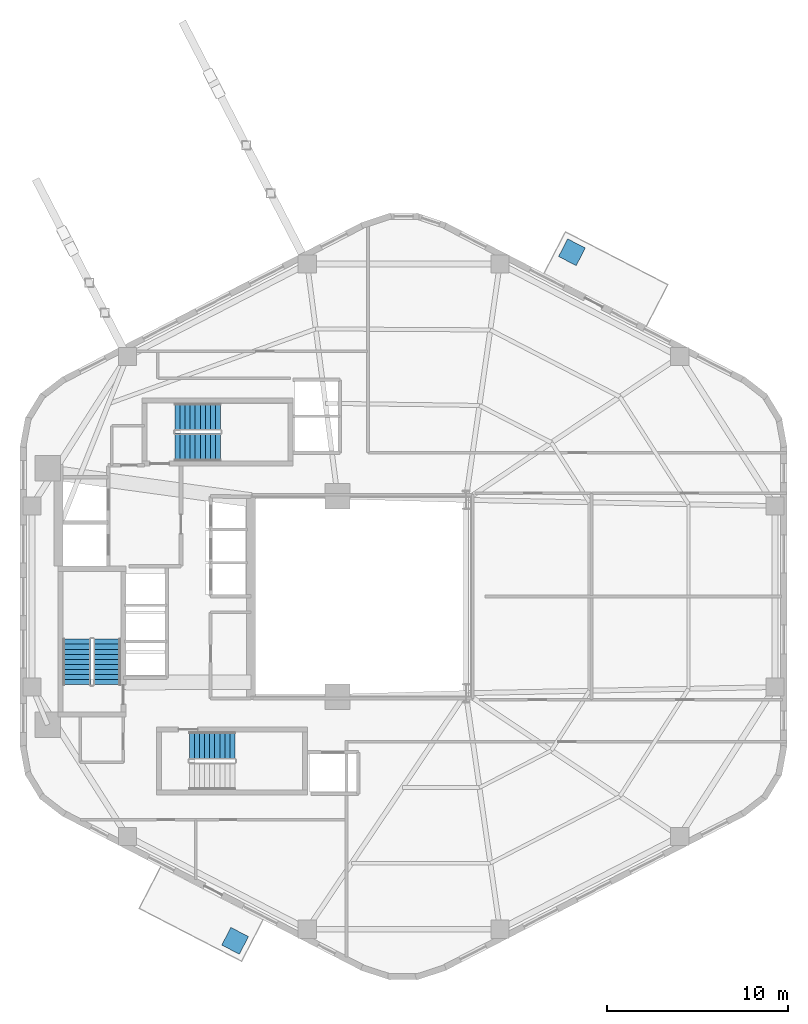
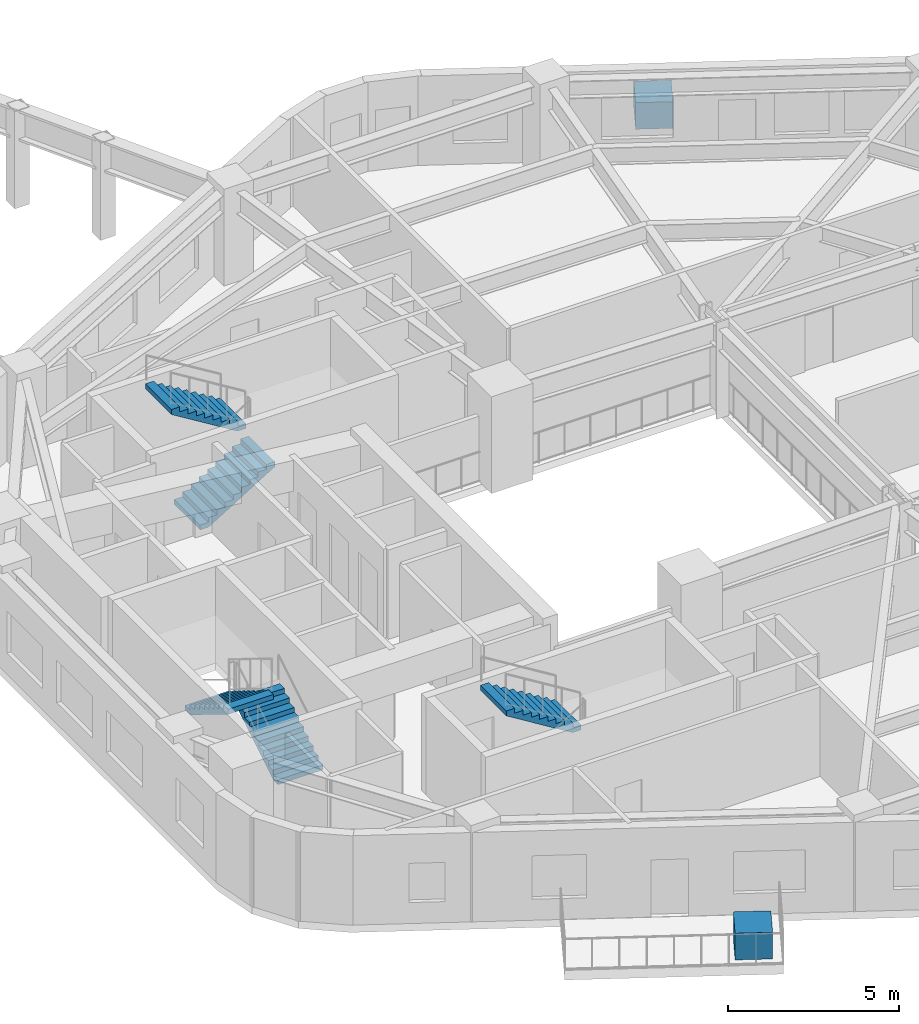
# One storey, part 6 of 8: 5 stair flights, 2 discrete accessories, 3 elements without a shape of their own.
"""IFC4 building model written with IfcOpenShell, lengths in metres."""

import ifcopenshell
import ifcopenshell.guid

model = None  # the IFC model being written
_history = None  # IfcOwnerHistory: only IFC2X3 demands one
_inside = {}  # id of a spatial element -> (the spatial element, [elements in it])
_under = {}  # id of a project, library or spatial element -> (it, [spatial elements below it])
_declared = {}  # id of a project -> (the project, [libraries it declares])
_typed = {}  # id of a type object -> (the type object, [elements of that type])
_made_of = {}  # id of a material, layer set ... -> (it, [elements and type objects made of it])


def new_model(schema):
    """Start an empty IFC model of exactly this schema.

    Asked for "IFC4X3", IfcOpenShell would pick the latest addendum, in which some entities
    have other attributes; the version numbers below select the first issue.
    IFC2X3 requires an IfcOwnerHistory on every rooted entity: one is made here for all.
    """
    global model, _history
    if schema == "IFC4X3":
        model = ifcopenshell.file(schema_version=(4, 3, 0, 0))
    else:
        model = ifcopenshell.file(schema=schema)
    _inside.clear()
    _under.clear()
    _declared.clear()
    _typed.clear()
    _made_of.clear()
    _history = None
    if model.schema == "IFC2X3":
        org = make("IfcOrganization", Name="unknown")
        user = make(
            "IfcPersonAndOrganization",
            ThePerson=make("IfcPerson", FamilyName="unknown"),
            TheOrganization=org,
        )
        app = make(
            "IfcApplication",
            ApplicationDeveloper=org,
            Version="unknown",
            ApplicationFullName="unknown",
            ApplicationIdentifier="unknown",
        )
        _history = make(
            "IfcOwnerHistory",
            OwningUser=user,
            OwningApplication=app,
            ChangeAction="ADDED",
            CreationDate=0,
        )
    return model


def make(cls, **values):
    """One entity of the class cls with the attributes given. An attribute that is None is left unset."""
    return model.create_entity(
        cls, **{name: value for name, value in values.items() if value is not None}
    )


def rooted(cls, **values):
    """An entity with a GlobalId (a new one), such as an element, a storey or a relation."""
    return make(cls, GlobalId=ifcopenshell.guid.new(), OwnerHistory=_history, **values)


def si_unit(unit_type, name, prefix=None):
    """IfcSIUnit, for example si_unit("LENGTHUNIT", "METRE", prefix="MILLI")."""
    return make("IfcSIUnit", UnitType=unit_type, Prefix=prefix, Name=name)


def assignment(units):
    """IfcUnitAssignment: the units of a project."""
    return None if units is None else make("IfcUnitAssignment", Units=units)


def point(xyz):
    """IfcCartesianPoint."""
    return None if xyz is None else make("IfcCartesianPoint", Coordinates=xyz)


def direction(xyz):
    """IfcDirection."""
    return None if xyz is None else make("IfcDirection", DirectionRatios=xyz)


def frame(location, z_axis=None, x_axis=None):
    """IfcAxis2Placement3D, a coordinate frame: its origin and axes. An axis left out is left unset."""
    return make(
        "IfcAxis2Placement3D",
        Location=point(location),
        Axis=direction(z_axis),
        RefDirection=direction(x_axis),
    )


def frame_2d(location, x_axis=None):
    """IfcAxis2Placement2D, a coordinate frame in the plane: its origin and x axis."""
    return make(
        "IfcAxis2Placement2D", Location=point(location), RefDirection=direction(x_axis)
    )


def origin():
    """The frame at (0, 0, 0) with its axes left unset."""
    return frame((0.0, 0.0, 0.0))


def origin_2d():
    """The frame at (0, 0) in the plane with its x axis left unset."""
    return frame_2d((0.0, 0.0))


def place(relative_to, where):
    """IfcLocalPlacement: puts the frame where relative to a parent placement (None: the world)."""
    return make(
        "IfcLocalPlacement", PlacementRelTo=relative_to, RelativePlacement=where
    )


def context(
    kind, dimensions, precision=None, world=None, true_north=None, identifier=None
):
    """IfcGeometricRepresentationContext, for example the 3D "Model" context."""
    return make(
        "IfcGeometricRepresentationContext",
        ContextIdentifier=identifier,
        ContextType=kind,
        CoordinateSpaceDimension=dimensions,
        Precision=precision,
        WorldCoordinateSystem=world,
        TrueNorth=true_north,
    )


def subcontext(parent, identifier, kind, view, scale=None):
    """IfcGeometricRepresentationSubContext, for example "Body" below "Model"."""
    return make(
        "IfcGeometricRepresentationSubContext",
        ContextIdentifier=identifier,
        ContextType=kind,
        ParentContext=parent,
        TargetScale=scale,
        TargetView=view,
    )


def project(units=None, contexts=None):
    """IfcProject with its units and contexts."""
    return rooted(
        "IfcProject",
        Name="project",
        RepresentationContexts=contexts,
        UnitsInContext=assignment(units),
    )


def spatial(cls, under=None, at=None, **own):
    """A site, building, storey or space (cls), placed at a placement, below another one or the project."""
    s = rooted(cls, ObjectPlacement=at, **own)
    if under is not None:
        _under.setdefault(under.id(), (under, []))[1].append(s)
    return s


def polyline(points):
    """IfcPolyline through the points."""
    return make("IfcPolyline", Points=[point(p) for p in points])


def profile(cls, at=None, kind="AREA", **sizes):
    """A parametric profile (cls). Its sizes go by their IFC names, for example OverallWidth=200.0."""
    return make(cls, ProfileType=kind, Position=at, **sizes)


def rectangle(**sizes):
    """IfcRectangleProfileDef."""
    return profile("IfcRectangleProfileDef", **sizes)


def outline(outer, holes=None, kind="AREA"):
    """IfcArbitraryClosedProfileDef: a profile drawn as a closed curve; with holes, ...WithVoids."""
    if holes is None:
        return make("IfcArbitraryClosedProfileDef", ProfileType=kind, OuterCurve=outer)
    return make(
        "IfcArbitraryProfileDefWithVoids",
        ProfileType=kind,
        OuterCurve=outer,
        InnerCurves=holes,
    )


def extrude(swept, where, along, depth):
    """IfcExtrudedAreaSolid: the profile swept, set in the frame where, extruded along a direction by depth."""
    return make(
        "IfcExtrudedAreaSolid",
        SweptArea=swept,
        Position=where,
        ExtrudedDirection=direction(along),
        Depth=depth,
    )


def shape(context_of_items, identifier, shape_type, items):
    """IfcShapeRepresentation: the items that make up one representation, for example the "Body"."""
    return make(
        "IfcShapeRepresentation",
        ContextOfItems=context_of_items,
        RepresentationIdentifier=identifier,
        RepresentationType=shape_type,
        Items=items,
    )


def material(Name=None, Category=None):
    """IfcMaterial."""
    return make("IfcMaterial", Name=Name, Category=Category)


def made_of(thing, what):
    """Note that an element or type object is made of a material, layer set ...; save() writes the relation."""
    if what is not None:
        _made_of.setdefault(what.id(), (what, []))[1].append(thing)
    return thing


def type_object(cls, material=None, **own):
    """A type object (cls), such as IfcWallType, which elements share."""
    return made_of(rooted(cls, **own), material)


def element(
    cls,
    number,
    at=None,
    inside=None,
    cuts=None,
    type_object=None,
    material=None,
    context=None,
    identifier="Body",
    shape_type=None,
    held_by="IfcProductDefinitionShape",
    body=None,
    shapes=None,
    **own,
):
    """One element of the class cls, such as IfcWall. Its Tag is "e" and its number.

    at: its placement. inside: the storey or other place that contains it. cuts: it is an
    opening in that element (IfcRelVoidsElement). A single representation is given by context,
    identifier, shape_type and body (its items); several are given by shapes. held_by: the class
    of the entity that holds the representations. save() writes the other relations.
    """
    e = rooted(cls, Tag="e%d" % number, ObjectPlacement=at, **own)
    if body is not None:
        shapes = [shape(context, identifier, shape_type, body)]
    if shapes is not None:
        e.Representation = make(held_by, Representations=shapes)
    if inside is not None:
        _inside.setdefault(inside.id(), (inside, []))[1].append(e)
    if cuts is not None:
        rooted(
            "IfcRelVoidsElement", RelatingBuildingElement=cuts, RelatedOpeningElement=e
        )
    if type_object is not None:
        _typed.setdefault(type_object.id(), (type_object, []))[1].append(e)
    return made_of(e, material)


def aggregate(whole, parts):
    """IfcRelAggregates: a whole, such as a stair, and the parts it consists of."""
    return rooted("IfcRelAggregates", RelatingObject=whole, RelatedObjects=parts)


def save(model, path):
    """Write the relations noted so far, then the file.

    IfcRelAggregates (storeys below a building ...), IfcRelContainedInSpatialStructure (elements
    in a storey), IfcRelDefinesByType, IfcRelAssociatesMaterial and IfcRelDeclares: one each for
    every whole, place, type object, material and project.
    """
    for whole, parts in _under.values():
        aggregate(whole, parts)
    for where, things in _inside.values():
        rooted(
            "IfcRelContainedInSpatialStructure",
            RelatedElements=things,
            RelatingStructure=where,
        )
    for kind, things in _typed.values():
        rooted("IfcRelDefinesByType", RelatedObjects=things, RelatingType=kind)
    for what, things in _made_of.values():
        rooted("IfcRelAssociatesMaterial", RelatedObjects=things, RelatingMaterial=what)
    for by, libraries in _declared.values():
        rooted("IfcRelDeclares", RelatingContext=by, RelatedDefinitions=libraries)
    model.write(path)


model = new_model("IFC4")

# Units and contexts
model_context = context("Model", 3, precision=1e-05, world=origin(), true_north=direction((0.0, 1.0)))
body_context = subcontext(model_context, "Body", "Model", "MODEL_VIEW")
ifc_project = project(units=[si_unit("LENGTHUNIT", "METRE"), si_unit("AREAUNIT", "SQUARE_METRE"), si_unit("VOLUMEUNIT", "CUBIC_METRE"), si_unit("PLANEANGLEUNIT", "RADIAN"), si_unit("MASSUNIT", "GRAM", prefix="KILO"), si_unit("THERMODYNAMICTEMPERATUREUNIT", "KELVIN"), si_unit("POWERUNIT", "WATT")], contexts=[model_context])

# Site, building, storey
site_placement = place(None, origin())
site = spatial("IfcSite", under=ifc_project, at=site_placement, CompositionType="ELEMENT")
building_placement = place(site_placement, origin())
building = spatial("IfcBuilding", under=site, at=building_placement, Name="Skarre Station Tower", CompositionType="ELEMENT")
storey_placement = place(building_placement, frame((0.0, 0.0, 132.60009765625)))
storey = spatial("IfcBuildingStorey", under=building, at=storey_placement, Name="L35", CompositionType="ELEMENT", Elevation=132.60009765625)

# Stair, stair flights
ifc_material_1 = material(Name="Concrete C40/50", Category="concrete")
stair_type_1 = type_object("IfcStairType", Name="Reinforced Concrete Exit Stair ST-1", PredefinedType="HALF_TURN_STAIR", material=ifc_material_1)
stair_1_placement = place(storey_placement, origin())
stair_1 = element("IfcStair", 1, at=stair_1_placement, inside=storey, type_object=stair_type_1, Name="L35 Core Exit Stair ST-1", PredefinedType="HALF_TURN_STAIR")
stair_flight_type_1 = type_object("IfcStairFlightType", Name="Reinforced Concrete Stair Flight ST-1", PredefinedType="STRAIGHT", material=ifc_material_1)
stair_flight_1_placement = place(storey_placement, frame((19.590087890625, 19.1201171875, 0.0), z_axis=(0.0, 0.0, 1.0), x_axis=(0.0, 1.0, 0.0)))
stair_flight_1 = element("IfcStairFlight", 2, at=stair_flight_1_placement, type_object=stair_flight_type_1, Name="ST-1 flight 1", NumberOfRisers=10, NumberOfTreads=9, PredefinedType="STRAIGHT", RiserHeight=0.1725, TreadLength=0.28, context=body_context, shape_type="SweptSolid", body=[
    extrude(outline(polyline([(0.0, 0.0), (0.0, 0.172607421875), (0.280029296875, 0.172607421875), (0.280029296875, 0.344970703125), (0.56005859375, 0.344970703125), (0.56005859375, 0.517578125), (0.840087890625, 0.517578125), (0.840087890625, 0.68994140625), (1.1201171875, 0.68994140625), (1.1201171875, 0.862548828125), (1.39990234375, 0.862548828125), (1.39990234375, 1.034912109375), (1.679931640625, 1.034912109375), (1.679931640625, 1.20751953125), (1.9599609375, 1.20751953125), (1.9599609375, 1.3798828125), (2.239990234375, 1.3798828125), (2.239990234375, 1.552490234375), (2.52001953125, 1.552490234375), (2.52001953125, 1.72509765625), (2.52001953125, 1.37646484375), (0.285888671875, 0.0), (0.0, 0.0)])), frame((0.0, 0.760009765625, 0.0), z_axis=(0.0, -1.0, 0.0), x_axis=(1.0, 0.0, 0.0)), (0.0, 0.0, 1.0), 1.52001953125),
])
stair_flight_2_placement = place(storey_placement, frame((17.909912109375, 21.639892578125, 1.724853515625), z_axis=(0.0, 0.0, 1.0), x_axis=(0.0, -1.0, 0.0)))
stair_flight_2 = element("IfcStairFlight", 3, at=stair_flight_2_placement, type_object=stair_flight_type_1, Name="ST-1 flight 2", NumberOfRisers=10, NumberOfTreads=9, PredefinedType="STRAIGHT", RiserHeight=0.1725, TreadLength=0.28, context=body_context, shape_type="SweptSolid", body=[
    extrude(outline(polyline([(0.0, 0.0), (0.0, 0.172607421875), (0.280029296875, 0.172607421875), (0.280029296875, 0.344970703125), (0.56005859375, 0.344970703125), (0.56005859375, 0.517578125), (0.840087890625, 0.517578125), (0.840087890625, 0.68994140625), (1.1201171875, 0.68994140625), (1.1201171875, 0.862548828125), (1.39990234375, 0.862548828125), (1.39990234375, 1.034912109375), (1.679931640625, 1.034912109375), (1.679931640625, 1.20751953125), (1.9599609375, 1.20751953125), (1.9599609375, 1.3798828125), (2.239990234375, 1.3798828125), (2.239990234375, 1.552490234375), (2.52001953125, 1.552490234375), (2.52001953125, 1.72509765625), (2.52001953125, 1.37646484375), (0.285888671875, 0.0), (0.0, 0.0)])), frame((0.0, 0.760009765625, 0.0), z_axis=(0.0, -1.0, 0.0), x_axis=(1.0, 0.0, 0.0)), (0.0, 0.0, 1.0), 1.52001953125),
])
aggregate(stair_1, [stair_flight_1, stair_flight_2])

# Stair, stair flight
stair_type_2 = type_object("IfcStairType", Name="Reinforced Concrete Exit Stair ST-2", PredefinedType="HALF_TURN_STAIR", material=ifc_material_1)
stair_2_placement = place(storey_placement, origin())
stair_2 = element("IfcStair", 4, at=stair_2_placement, inside=storey, type_object=stair_type_2, Name="L35 Core Exit Stair ST-2", PredefinedType="HALF_TURN_STAIR")
stair_flight_type_2 = type_object("IfcStairFlightType", Name="Reinforced Concrete Stair Flight ST-2", PredefinedType="STRAIGHT", material=ifc_material_1)
stair_flight_3_placement = place(storey_placement, frame((26.669921875, 15.739990234375, 1.724853515625), z_axis=(0.0, 0.0, 1.0), x_axis=(-1.0, 0.0, 0.0)))
stair_flight_3 = element("IfcStairFlight", 5, at=stair_flight_3_placement, type_object=stair_flight_type_2, Name="ST-2 flight 2", NumberOfRisers=10, NumberOfTreads=9, PredefinedType="STRAIGHT", RiserHeight=0.1725, TreadLength=0.28, context=body_context, shape_type="SweptSolid", body=[
    extrude(outline(polyline([(0.0, 0.0), (0.0, 0.172607421875), (0.280029296875, 0.172607421875), (0.280029296875, 0.344970703125), (0.56005859375, 0.344970703125), (0.56005859375, 0.517578125), (0.840087890625, 0.517578125), (0.840087890625, 0.68994140625), (1.1201171875, 0.68994140625), (1.1201171875, 0.862548828125), (1.39990234375, 0.862548828125), (1.39990234375, 1.034912109375), (1.679931640625, 1.034912109375), (1.679931640625, 1.20751953125), (1.9599609375, 1.20751953125), (1.9599609375, 1.3798828125), (2.239990234375, 1.3798828125), (2.239990234375, 1.552490234375), (2.52001953125, 1.552490234375), (2.52001953125, 1.72509765625), (2.52001953125, 1.37646484375), (0.285888671875, 0.0), (0.0, 0.0)])), frame((0.0, 0.760009765625, 0.0), z_axis=(0.0, -1.0, 0.0), x_axis=(1.0, 0.0, 0.0)), (0.0, 0.0, 1.0), 1.52001953125),
])
aggregate(stair_2, [stair_flight_3])

# Stair, stair flights
stair_type_3 = type_object("IfcStairType", Name="Reinforced Concrete Exit Stair ST-3", PredefinedType="HALF_TURN_STAIR", material=ifc_material_1)
stair_3_placement = place(storey_placement, origin())
stair_3 = element("IfcStair", 6, at=stair_3_placement, inside=storey, type_object=stair_type_3, Name="L35 Core Exit Stair ST-3", PredefinedType="HALF_TURN_STAIR")
stair_flight_type_3 = type_object("IfcStairFlightType", Name="Reinforced Concrete Stair Flight ST-3", PredefinedType="STRAIGHT", material=ifc_material_1)
stair_flight_4_placement = place(storey_placement, frame((23.35009765625, 32.260009765625, 0.0), z_axis=(0.0, 0.0, 1.0), x_axis=(1.0, 0.0, 0.0)))
stair_flight_4 = element("IfcStairFlight", 7, at=stair_flight_4_placement, type_object=stair_flight_type_3, Name="ST-3 flight 1", NumberOfRisers=10, NumberOfTreads=9, PredefinedType="STRAIGHT", RiserHeight=0.1725, TreadLength=0.28, context=body_context, shape_type="SweptSolid", body=[
    extrude(outline(polyline([(0.0, 0.0), (0.0, 0.172607421875), (0.280029296875, 0.172607421875), (0.280029296875, 0.344970703125), (0.56005859375, 0.344970703125), (0.56005859375, 0.517578125), (0.840087890625, 0.517578125), (0.840087890625, 0.68994140625), (1.1201171875, 0.68994140625), (1.1201171875, 0.862548828125), (1.39990234375, 0.862548828125), (1.39990234375, 1.034912109375), (1.679931640625, 1.034912109375), (1.679931640625, 1.20751953125), (1.9599609375, 1.20751953125), (1.9599609375, 1.3798828125), (2.239990234375, 1.3798828125), (2.239990234375, 1.552490234375), (2.52001953125, 1.552490234375), (2.52001953125, 1.72509765625), (2.52001953125, 1.37646484375), (0.285888671875, 0.0), (0.0, 0.0)])), frame((0.0, 0.760009765625, 0.0), z_axis=(0.0, -1.0, 0.0), x_axis=(1.0, 0.0, 0.0)), (0.0, 0.0, 1.0), 1.52001953125),
])
stair_flight_5_placement = place(storey_placement, frame((25.8701171875, 33.93994140625, 1.724853515625), z_axis=(0.0, 0.0, 1.0), x_axis=(-1.0, 0.0, 0.0)))
stair_flight_5 = element("IfcStairFlight", 8, at=stair_flight_5_placement, type_object=stair_flight_type_3, Name="ST-3 flight 2", NumberOfRisers=10, NumberOfTreads=9, PredefinedType="STRAIGHT", RiserHeight=0.1725, TreadLength=0.28, context=body_context, shape_type="SweptSolid", body=[
    extrude(outline(polyline([(0.0, 0.0), (0.0, 0.172607421875), (0.280029296875, 0.172607421875), (0.280029296875, 0.344970703125), (0.56005859375, 0.344970703125), (0.56005859375, 0.517578125), (0.840087890625, 0.517578125), (0.840087890625, 0.68994140625), (1.1201171875, 0.68994140625), (1.1201171875, 0.862548828125), (1.39990234375, 0.862548828125), (1.39990234375, 1.034912109375), (1.679931640625, 1.034912109375), (1.679931640625, 1.20751953125), (1.9599609375, 1.20751953125), (1.9599609375, 1.3798828125), (2.239990234375, 1.3798828125), (2.239990234375, 1.552490234375), (2.52001953125, 1.552490234375), (2.52001953125, 1.72509765625), (2.52001953125, 1.37646484375), (0.285888671875, 0.0), (0.0, 0.0)])), frame((0.0, 0.760009765625, 0.0), z_axis=(0.0, -1.0, 0.0), x_axis=(1.0, 0.0, 0.0)), (0.0, 0.0, 1.0), 1.52001953125),
])
aggregate(stair_3, [stair_flight_4, stair_flight_5])

# Discrete accessories
ifc_material_2 = material(Name="Precast concrete C45/55", Category="concrete")
discrete_accessory_type = type_object("IfcDiscreteAccessoryType", Name="Insulated Precast Tree Planter Trough 1100x1100x950", PredefinedType="USERDEFINED", material=ifc_material_2)
for number, where, z_axis, x_axis, name in (
    (9, (45.322998046875, 43.05810546875, 0.0), (0.0, 0.0, 1.0), (0.458649554484, 0.888617232655, 0.0), "L35 TB-L35-F0 Insulated Precast Tree Planter Trough"),
    (10, (26.677001953125, 4.94189453125, 0.0), (0.0, 0.0, 1.0), (-0.458649554484, -0.888617232655, 0.0), "L35 TB-L35-F3 Insulated Precast Tree Planter Trough"),
):
    element("IfcDiscreteAccessory", number, at=place(storey_placement, frame(where, z_axis=z_axis, x_axis=x_axis)), inside=storey, type_object=discrete_accessory_type, Name=name, ObjectType="PLANTER", PredefinedType="USERDEFINED", context=body_context, shape_type="SweptSolid", body=[
        extrude(rectangle(XDim=1.10009765625, YDim=1.10009765625, at=origin_2d()), origin(), (0.0, 0.0, 1.0), 0.949951171875),
    ])

save(model, "model.ifc")
